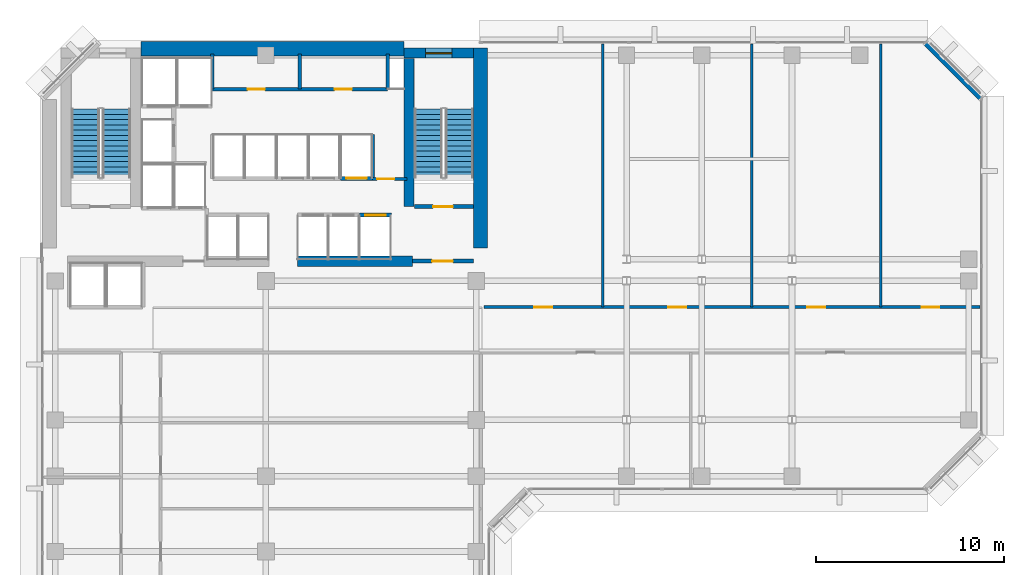
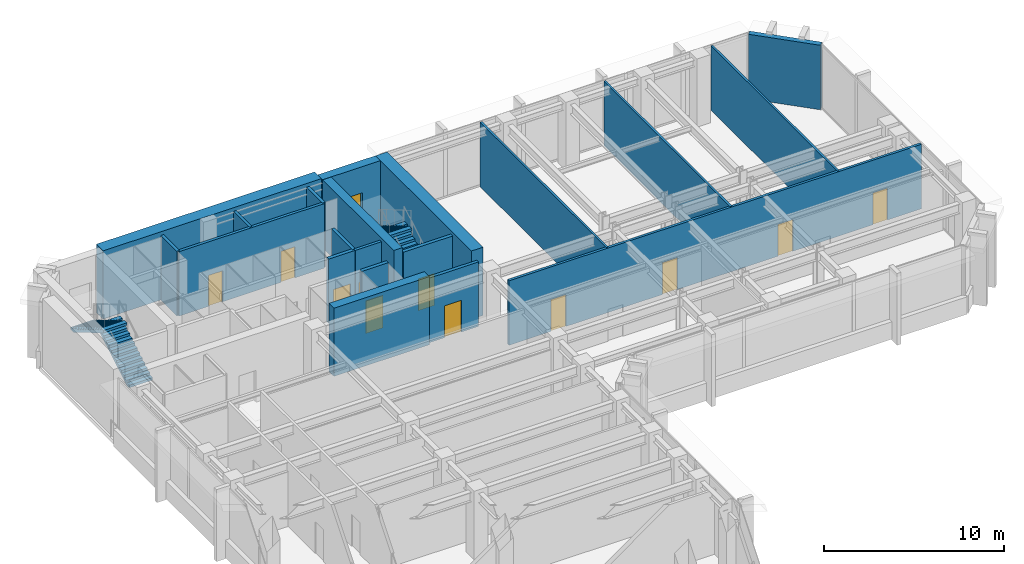
# One storey, part 8 of 13: 20 walls, 11 doors, 4 stair flights, 1 window, 12 openings, 2 elements without a shape of their own.
"""IFC4 building model written with IfcOpenShell, lengths in metres."""

from ifc_helpers import new_model, si_unit, direction, frame, frame_2d, origin, place, context, subcontext, project, spatial, polyline, rectangle, outline, extrude, material, layer, layer_set, type_object, element, fill, aggregate, save


model = new_model("IFC4")

# Units and contexts
model_context = context("Model", 3, precision=1e-05, world=origin(), true_north=direction((0.0, 1.0)))
body_context = subcontext(model_context, "Body", "Model", "MODEL_VIEW")
ifc_project = project(units=[si_unit("LENGTHUNIT", "METRE"), si_unit("AREAUNIT", "SQUARE_METRE"), si_unit("VOLUMEUNIT", "CUBIC_METRE"), si_unit("PLANEANGLEUNIT", "RADIAN"), si_unit("MASSUNIT", "GRAM", prefix="KILO")], contexts=[model_context])

# Site, building, storey
site_placement = place(None, origin())
site = spatial("IfcSite", under=ifc_project, at=site_placement, CompositionType="ELEMENT")
building_placement = place(site_placement, origin())
building = spatial("IfcBuilding", under=site, at=building_placement, Name="Kefirva Bronze Tower", CompositionType="ELEMENT")
storey_placement = place(building_placement, frame((0.0, 0.0, 130.35009765625)))
storey = spatial("IfcBuildingStorey", under=building, at=storey_placement, Name="L31", CompositionType="ELEMENT", Elevation=130.35009765625)

# Walls
ifc_material_1 = material(Name="Gypsum acoustic partition")
ifc_layer_1 = layer(ifc_material_1, 0.1298828125, Name="Gypsum acoustic partition")
ifc_layer_set_1 = layer_set([ifc_layer_1], Name="Gypsum acoustic partition")
wall_type_1 = type_object("IfcWallType", Name="Acoustic Office Partition 130mm", PredefinedType="PARTITIONING", material=ifc_layer_set_1)
for number, where, z_axis, x_axis, name in (
    (1, (29.9384765625, 31.800048828125, 0.0), (0.0, 0.0, 1.0), (0.0, 1.0, 0.0), "L31 Partition W-L31-END1"),
    (2, (37.861328125, 31.800048828125, 0.0), (0.0, 0.0, 1.0), (0.0, 1.0, 0.0), "L31 Partition W-L31-END2"),
    (3, (44.72802734375, 31.800048828125, 0.0), (0.0, 0.0, 1.0), (0.0, 1.0, 0.0), "L31 Partition W-L31-END3"),
):
    element("IfcWall", number, at=place(storey_placement, frame(where, z_axis=z_axis, x_axis=x_axis)), inside=storey, type_object=wall_type_1, Name=name, PredefinedType="PARTITIONING", context=body_context, shape_type="SweptSolid", body=[
        extrude(rectangle(XDim=14.010009765625, YDim=0.1298828125, at=frame_2d((7.0048828125, 0.0))), origin(), (0.0, 0.0, 1.0), 4.369873046875),
    ])

# Wall, opening, door
ifc_material_2 = material(Name="Gypsum fireboard shaftwall")
ifc_layer_2 = layer(ifc_material_2, 0.219970703125, Name="Gypsum fireboard shaftwall")
ifc_layer_set_2 = layer_set([ifc_layer_2], Name="Gypsum fireboard shaftwall")
wall_type_2 = type_object("IfcWallType", Name="Fire-Rated Shaft Enclosure Wall 220mm", PredefinedType="PARTITIONING", material=ifc_layer_set_2)
wall_1_placement = place(storey_placement, frame((19.89990234375, 37.14990234375, 0.0), z_axis=(0.0, 0.0, 1.0), x_axis=(1.0, 0.0, 0.0)))
wall_1 = element("IfcWall", 4, at=wall_1_placement, inside=storey, type_object=wall_type_2, Name="L31 Partition W-L31-ST2S", PredefinedType="PARTITIONING", context=body_context, shape_type="SweptSolid", body=[
    extrude(rectangle(XDim=3.150146484375, YDim=0.219970703125, at=frame_2d((1.5751953125, 0.0))), origin(), (0.0, 0.0, 1.0), 4.369873046875),
])
opening_1_placement = place(wall_1_placement, frame((2.050048828125, 0.0, 0.0), z_axis=(0.0, 0.0, 1.0), x_axis=(-1.0, 0.0, 0.0)))
opening_1 = element("IfcOpeningElement", 5, at=opening_1_placement, cuts=wall_1, Name="Opening L31-D003", PredefinedType="OPENING", context=body_context, shape_type="SweptSolid", body=[
    extrude(rectangle(XDim=1.050048828125, YDim=2.14990234375, at=frame_2d((0.52490234375, 1.074951171875))), frame((0.0, 0.1201171875, 0.0), z_axis=(0.0, -1.0, 0.0), x_axis=(1.0, 0.0, 0.0)), (0.0, 0.0, 1.0), 0.239990234375),
])
ifc_material_3 = material(Name="Painted galvanized steel", Category="steel")
door_type_1 = type_object("IfcDoorType", Name="Fire Stair Enclosure Door 1050x2150 FD90S", OperationType="NOTDEFINED", PredefinedType="DOOR", material=ifc_material_3)
door_1_placement = place(opening_1_placement, origin())
door_1 = element("IfcDoor", 6, at=door_1_placement, inside=storey, type_object=door_type_1, Name="Door L31-D003", OperationType="SINGLE_SWING_LEFT", OverallHeight=2.14990234375, OverallWidth=1.050048828125, PredefinedType="DOOR", context=body_context, shape_type="SweptSolid", body=[
    extrude(rectangle(XDim=1.050048828125, YDim=2.14990234375, at=frame_2d((0.52490234375, 1.074951171875))), frame((0.0, 0.02490234375, 0.0), z_axis=(0.0, -1.0, 0.0), x_axis=(1.0, 0.0, 0.0)), (0.0, 0.0, 1.0), 0.050048828125),
])
fill(opening_1, door_1)

# Wall
wall_2_placement = place(storey_placement, frame((17.679931640625, 38.64990234375, 0.0), z_axis=(0.0, 0.0, 1.0), x_axis=(0.0, 1.0, 0.0)))
element("IfcWall", 7, at=wall_2_placement, inside=storey, type_object=wall_type_2, Name="L31 Partition W-L31-HP2E", PredefinedType="PARTITIONING", context=body_context, shape_type="SweptSolid", body=[
    extrude(rectangle(XDim=2.35009765625, YDim=0.199951171875, at=frame_2d((1.175048828125, 0.0))), origin(), (0.0, 0.0, 1.0), 4.369873046875),
])

# Wall, opening, door
wall_3_placement = place(storey_placement, frame((16.97998046875, 36.699951171875, 0.0), z_axis=(0.0, 0.0, 1.0), x_axis=(1.0, 0.0, 0.0)))
wall_3 = element("IfcWall", 8, at=wall_3_placement, inside=storey, type_object=wall_type_2, Name="L31 Partition W-L31-HPS", PredefinedType="PARTITIONING", context=body_context, shape_type="SweptSolid", body=[
    extrude(rectangle(XDim=1.699951171875, YDim=0.219970703125, at=frame_2d((0.85009765625, 0.0))), origin(), (0.0, 0.0, 1.0), 4.369873046875),
])
opening_2_placement = place(wall_3_placement, frame((0.300048828125, 0.0, 0.0)))
opening_2 = element("IfcOpeningElement", 9, at=opening_2_placement, cuts=wall_3, Name="Opening L31-LD-HP1", PredefinedType="OPENING", context=body_context, shape_type="SweptSolid", body=[
    extrude(rectangle(XDim=1.10009765625, YDim=2.199951171875, at=frame_2d((0.550048828125, 1.10009765625))), frame((0.0, 0.1201171875, 0.0), z_axis=(0.0, -1.0, 0.0), x_axis=(1.0, 0.0, 0.0)), (0.0, 0.0, 1.0), 0.239990234375),
])
ifc_material_4 = material(Name="Stainless steel 316", Category="steel")
door_type_2 = type_object("IfcDoorType", Name="Passenger Lift Sliding Landing Door 1100x2200", OperationType="SLIDING_TO_LEFT", PredefinedType="DOOR", material=ifc_material_4)
door_2_placement = place(opening_2_placement, origin())
door_2 = element("IfcDoor", 10, at=door_2_placement, inside=storey, type_object=door_type_2, Name="Door L31-LD-HP1", OperationType="SLIDING_TO_LEFT", OverallHeight=2.199951171875, OverallWidth=1.10009765625, PredefinedType="DOOR", context=body_context, shape_type="SweptSolid", body=[
    extrude(rectangle(XDim=1.10009765625, YDim=2.199951171875, at=frame_2d((0.550048828125, 1.10009765625))), frame((0.0, 0.02490234375, 0.0), z_axis=(0.0, -1.0, 0.0), x_axis=(1.0, 0.0, 0.0)), (0.0, 0.0, 1.0), 0.050048828125),
])
fill(opening_2, door_2)

wall_4_placement = place(storey_placement, frame((15.97998046875, 38.64990234375, 0.0), z_axis=(0.0, 0.0, 1.0), x_axis=(1.0, 0.0, 0.0)))
wall_4 = element("IfcWall", 11, at=wall_4_placement, inside=storey, type_object=wall_type_2, Name="L31 Partition W-L31-HPN", PredefinedType="PARTITIONING", context=body_context, shape_type="SweptSolid", body=[
    extrude(rectangle(XDim=1.719970703125, YDim=0.219970703125, at=frame_2d((0.85986328125, 0.0))), origin(), (0.0, 0.0, 1.0), 4.369873046875),
])
opening_3_placement = place(wall_4_placement, frame((0.300048828125, 0.0, 0.0)))
opening_3 = element("IfcOpeningElement", 12, at=opening_3_placement, cuts=wall_4, Name="Opening L31-LD-HP2", PredefinedType="OPENING", context=body_context, shape_type="SweptSolid", body=[
    extrude(rectangle(XDim=1.10009765625, YDim=2.199951171875, at=frame_2d((0.550048828125, 1.10009765625))), frame((0.0, 0.1201171875, 0.0), z_axis=(0.0, -1.0, 0.0), x_axis=(1.0, 0.0, 0.0)), (0.0, 0.0, 1.0), 0.239990234375),
])
door_3_placement = place(opening_3_placement, origin())
door_3 = element("IfcDoor", 13, at=door_3_placement, inside=storey, type_object=door_type_2, Name="Door L31-LD-HP2", OperationType="SLIDING_TO_LEFT", OverallHeight=2.199951171875, OverallWidth=1.10009765625, PredefinedType="DOOR", context=body_context, shape_type="SweptSolid", body=[
    extrude(rectangle(XDim=1.10009765625, YDim=2.199951171875, at=frame_2d((0.550048828125, 1.10009765625))), frame((0.0, 0.02490234375, 0.0), z_axis=(0.0, -1.0, 0.0), x_axis=(1.0, 0.0, 0.0)), (0.0, 0.0, 1.0), 0.050048828125),
])
fill(opening_3, door_3)

ifc_material_5 = material(Name="Gypsum fireboard barrier")
ifc_layer_3 = layer(ifc_material_5, 0.199951171875, Name="Gypsum fireboard barrier")
ifc_layer_set_3 = layer_set([ifc_layer_3], Name="Gypsum fireboard barrier")
wall_type_3 = type_object("IfcWallType", Name="Firefighting Lobby Barrier Wall 200mm", PredefinedType="PARTITIONING", material=ifc_layer_set_3)
wall_5_placement = place(storey_placement, frame((19.800048828125, 34.25, 0.0), z_axis=(0.0, 0.0, 1.0), x_axis=(1.0, 0.0, 0.0)))
wall_5 = element("IfcWall", 14, at=wall_5_placement, inside=storey, type_object=wall_type_3, Name="L31 Partition W-L31-ST2F", PredefinedType="PARTITIONING", context=body_context, shape_type="SweptSolid", body=[
    extrude(rectangle(XDim=3.25, YDim=0.199951171875, at=frame_2d((1.625, 0.0))), origin(), (0.0, 0.0, 1.0), 4.369873046875),
])
opening_4_placement = place(wall_5_placement, frame((2.150146484375, 0.0, 0.0), z_axis=(0.0, 0.0, 1.0), x_axis=(-1.0, 0.0, 0.0)))
opening_4 = element("IfcOpeningElement", 15, at=opening_4_placement, cuts=wall_5, Name="Opening L31-D004", PredefinedType="OPENING", context=body_context, shape_type="SweptSolid", body=[
    extrude(rectangle(XDim=1.10009765625, YDim=2.14990234375, at=frame_2d((0.550048828125, 1.074951171875))), frame((0.0, 0.10986328125, 0.0), z_axis=(0.0, -1.0, 0.0), x_axis=(1.0, 0.0, 0.0)), (0.0, 0.0, 1.0), 0.219970703125),
])
door_type_3 = type_object("IfcDoorType", Name="Firefighting Lobby Smoke Door 1100x2150 FD60S", OperationType="NOTDEFINED", PredefinedType="DOOR", material=ifc_material_3)
door_4_placement = place(opening_4_placement, origin())
door_4 = element("IfcDoor", 16, at=door_4_placement, inside=storey, type_object=door_type_3, Name="Door L31-D004", OperationType="SINGLE_SWING_RIGHT", OverallHeight=2.14990234375, OverallWidth=1.10009765625, PredefinedType="DOOR", context=body_context, shape_type="SweptSolid", body=[
    extrude(rectangle(XDim=1.10009765625, YDim=2.14990234375, at=frame_2d((0.550048828125, 1.074951171875))), frame((0.0, 0.02490234375, 0.0), z_axis=(0.0, -1.0, 0.0), x_axis=(1.0, 0.0, 0.0)), (0.0, 0.0, 1.0), 0.050048828125),
])
fill(opening_4, door_4)

wall_6_placement = place(storey_placement, frame((17.679931640625, 38.6201171875, 0.0), z_axis=(0.0, 0.0, 1.0), x_axis=(1.0, 0.0, 0.0)))
wall_6 = element("IfcWall", 17, at=wall_6_placement, inside=storey, type_object=wall_type_3, Name="L31 Partition W-L31-CPASS", PredefinedType="PARTITIONING", context=body_context, shape_type="SweptSolid", body=[
    extrude(rectangle(XDim=1.840087890625, YDim=0.179931640625, at=frame_2d((0.919921875, 0.0))), origin(), (0.0, 0.0, 1.0), 4.369873046875),
])
opening_5_placement = place(wall_6_placement, frame((0.239990234375, 0.0, 0.0)))
opening_5 = element("IfcOpeningElement", 18, at=opening_5_placement, cuts=wall_6, Name="Opening L31-D-CPAS", PredefinedType="OPENING", context=body_context, shape_type="SweptSolid", body=[
    extrude(rectangle(XDim=0.919921875, YDim=2.10009765625, at=frame_2d((0.4599609375, 1.050048828125))), frame((0.0, 0.10009765625, 0.0), z_axis=(0.0, -1.0, 0.0), x_axis=(1.0, 0.0, 0.0)), (0.0, 0.0, 1.0), 0.199951171875),
])
ifc_material_6 = material(Name="Moisture-resistant timber", Category="wood")
door_type_4 = type_object("IfcDoorType", Name="Accessible Sanitary & WC Door 920x2100", OperationType="NOTDEFINED", PredefinedType="DOOR", material=ifc_material_6)
door_5_placement = place(opening_5_placement, origin())
door_5 = element("IfcDoor", 19, at=door_5_placement, inside=storey, type_object=door_type_4, Name="Door L31-D-CPAS", OperationType="SINGLE_SWING_LEFT", OverallHeight=2.10009765625, OverallWidth=0.919921875, PredefinedType="DOOR", context=body_context, shape_type="SweptSolid", body=[
    extrude(rectangle(XDim=0.919921875, YDim=2.10009765625, at=frame_2d((0.4599609375, 1.050048828125))), frame((0.0, 0.02490234375, 0.0), z_axis=(0.0, -1.0, 0.0), x_axis=(1.0, 0.0, 0.0)), (0.0, 0.0, 1.0), 0.050048828125),
])
fill(opening_5, door_5)

# Wall
ifc_material_7 = material(Name="Precast concrete C40/50", Category="concrete")
ifc_layer_4 = layer(ifc_material_7, 0.320068359375, Name="Precast concrete C40/50")
ifc_layer_set_4 = layer_set([ifc_layer_4], Name="Precast concrete C40/50")
wall_type_4 = type_object("IfcWallType", Name="Precast Insulated Exterior Wall 320mm", PredefinedType="SOLIDWALL", material=ifc_layer_set_4)
wall_7_placement = place(storey_placement, frame((50.048095703125, 42.92578125, 0.0), z_axis=(0.0, 0.0, 1.0), x_axis=(-0.707136318428, 0.707077242712, 0.0)))
element("IfcWall", 20, at=wall_7_placement, inside=storey, type_object=wall_type_4, Name="L31 Exterior Facade Wall 7", PredefinedType="SOLIDWALL", context=body_context, shape_type="SweptSolid", body=[
    extrude(rectangle(XDim=4.132568359375, YDim=0.320068359375, at=frame_2d((2.06640625, 0.0))), origin(), (0.0, 0.0, 1.0), 4.369873046875),
])

# Wall, openings, doors
ifc_layer_5 = layer(ifc_material_1, 0.159912109375, Name="Gypsum acoustic partition")
ifc_layer_set_5 = layer_set([ifc_layer_5], Name="Gypsum acoustic partition")
wall_type_5 = type_object("IfcWallType", Name="Protected Corridor Partition 160mm", PredefinedType="PARTITIONING", material=ifc_layer_set_5)
wall_8_placement = place(storey_placement, frame((23.60009765625, 31.800048828125, 0.0), z_axis=(0.0, 0.0, 1.0), x_axis=(1.0, 0.0, 0.0)))
wall_8 = element("IfcWall", 21, at=wall_8_placement, inside=storey, type_object=wall_type_5, Name="L31 Partition W-L31-EWN", PredefinedType="PARTITIONING", context=body_context, shape_type="SweptSolid", body=[
    extrude(rectangle(XDim=26.409912109375, YDim=0.159912109375, at=frame_2d((13.205078125, 0.0))), origin(), (0.0, 0.0, 1.0), 4.369873046875),
])
opening_6_placement = place(wall_8_placement, frame((2.694091796875, 0.0, 0.0)))
opening_6 = element("IfcOpeningElement", 22, at=opening_6_placement, cuts=wall_8, Name="Opening L31-D-EN1", PredefinedType="OPENING", context=body_context, shape_type="SweptSolid", body=[
    extrude(rectangle(XDim=0.949951171875, YDim=2.14990234375, at=frame_2d((0.47509765625, 1.074951171875))), frame((0.0, 0.08984375, 0.0), z_axis=(0.0, -1.0, 0.0), x_axis=(1.0, 0.0, 0.0)), (0.0, 0.0, 1.0), 0.179931640625),
])
opening_7_placement = place(wall_8_placement, frame((9.824951171875, 0.0, 0.0)))
opening_7 = element("IfcOpeningElement", 23, at=opening_7_placement, cuts=wall_8, Name="Opening L31-D-EN2", PredefinedType="OPENING", context=body_context, shape_type="SweptSolid", body=[
    extrude(rectangle(XDim=0.949951171875, YDim=2.14990234375, at=frame_2d((0.47509765625, 1.074951171875))), frame((0.0, 0.08984375, 0.0), z_axis=(0.0, -1.0, 0.0), x_axis=(1.0, 0.0, 0.0)), (0.0, 0.0, 1.0), 0.179931640625),
])
opening_8_placement = place(wall_8_placement, frame((17.2197265625, 0.0, 0.0)))
opening_8 = element("IfcOpeningElement", 24, at=opening_8_placement, cuts=wall_8, Name="Opening L31-D-EN3", PredefinedType="OPENING", context=body_context, shape_type="SweptSolid", body=[
    extrude(rectangle(XDim=0.949951171875, YDim=2.14990234375, at=frame_2d((0.47509765625, 1.074951171875))), frame((0.0, 0.08984375, 0.0), z_axis=(0.0, -1.0, 0.0), x_axis=(1.0, 0.0, 0.0)), (0.0, 0.0, 1.0), 0.179931640625),
])
opening_9_placement = place(wall_8_placement, frame((23.2939453125, 0.0, 0.0)))
opening_9 = element("IfcOpeningElement", 25, at=opening_9_placement, cuts=wall_8, Name="Opening L31-D-EN4", PredefinedType="OPENING", context=body_context, shape_type="SweptSolid", body=[
    extrude(rectangle(XDim=0.949951171875, YDim=2.14990234375, at=frame_2d((0.47509765625, 1.074951171875))), frame((0.0, 0.08984375, 0.0), z_axis=(0.0, -1.0, 0.0), x_axis=(1.0, 0.0, 0.0)), (0.0, 0.0, 1.0), 0.179931640625),
])
ifc_material_8 = material(Name="Acoustic hardwood oak", Category="wood")
door_type_5 = type_object("IfcDoorType", Name="Office & Meeting Room Door 950x2150", OperationType="NOTDEFINED", PredefinedType="DOOR", material=ifc_material_8)
door_6_placement = place(opening_6_placement, origin())
door_6 = element("IfcDoor", 26, at=door_6_placement, inside=storey, type_object=door_type_5, Name="Door L31-D-EN1", OperationType="SINGLE_SWING_LEFT", OverallHeight=2.14990234375, OverallWidth=0.949951171875, PredefinedType="DOOR", context=body_context, shape_type="SweptSolid", body=[
    extrude(rectangle(XDim=0.949951171875, YDim=2.14990234375, at=frame_2d((0.47509765625, 1.074951171875))), frame((0.0, 0.02490234375, 0.0), z_axis=(0.0, -1.0, 0.0), x_axis=(1.0, 0.0, 0.0)), (0.0, 0.0, 1.0), 0.050048828125),
])
fill(opening_6, door_6)
door_7_placement = place(opening_7_placement, origin())
door_7 = element("IfcDoor", 27, at=door_7_placement, inside=storey, type_object=door_type_5, Name="Door L31-D-EN2", OperationType="SINGLE_SWING_RIGHT", OverallHeight=2.14990234375, OverallWidth=0.949951171875, PredefinedType="DOOR", context=body_context, shape_type="SweptSolid", body=[
    extrude(rectangle(XDim=0.949951171875, YDim=2.14990234375, at=frame_2d((0.47509765625, 1.074951171875))), frame((0.0, 0.02490234375, 0.0), z_axis=(0.0, -1.0, 0.0), x_axis=(1.0, 0.0, 0.0)), (0.0, 0.0, 1.0), 0.050048828125),
])
fill(opening_7, door_7)
door_8_placement = place(opening_8_placement, origin())
door_8 = element("IfcDoor", 28, at=door_8_placement, inside=storey, type_object=door_type_5, Name="Door L31-D-EN3", OperationType="SINGLE_SWING_LEFT", OverallHeight=2.14990234375, OverallWidth=0.949951171875, PredefinedType="DOOR", context=body_context, shape_type="SweptSolid", body=[
    extrude(rectangle(XDim=0.949951171875, YDim=2.14990234375, at=frame_2d((0.47509765625, 1.074951171875))), frame((0.0, 0.02490234375, 0.0), z_axis=(0.0, -1.0, 0.0), x_axis=(1.0, 0.0, 0.0)), (0.0, 0.0, 1.0), 0.050048828125),
])
fill(opening_8, door_8)
door_9_placement = place(opening_9_placement, origin())
door_9 = element("IfcDoor", 29, at=door_9_placement, inside=storey, type_object=door_type_5, Name="Door L31-D-EN4", OperationType="SINGLE_SWING_RIGHT", OverallHeight=2.14990234375, OverallWidth=0.949951171875, PredefinedType="DOOR", context=body_context, shape_type="SweptSolid", body=[
    extrude(rectangle(XDim=0.949951171875, YDim=2.14990234375, at=frame_2d((0.47509765625, 1.074951171875))), frame((0.0, 0.02490234375, 0.0), z_axis=(0.0, -1.0, 0.0), x_axis=(1.0, 0.0, 0.0)), (0.0, 0.0, 1.0), 0.050048828125),
])
fill(opening_9, door_9)

# Wall, opening, window
ifc_material_9 = material(Name="Concrete C50/60", Category="concrete")
ifc_layer_6 = layer(ifc_material_9, 0.550048828125, Name="Concrete C50/60")
ifc_layer_set_6 = layer_set([ifc_layer_6], Name="Concrete C50/60")
wall_type_6 = type_object("IfcWallType", Name="RC Rear Core Exterior Wall 550mm", PredefinedType="SHEAR", material=ifc_layer_set_6)
wall_9_placement = place(storey_placement, frame((19.35009765625, 45.320068359375, 0.0), z_axis=(0.0, 0.0, 1.0), x_axis=(1.0, 0.0, 0.0)))
wall_9 = element("IfcWall", 30, at=wall_9_placement, inside=storey, type_object=wall_type_6, Name="L31 Stair 2 North Shear Wall", PredefinedType="SHEAR", context=body_context, shape_type="SweptSolid", body=[
    extrude(rectangle(XDim=3.68994140625, YDim=0.550048828125, at=frame_2d((1.844970703125, 0.0))), origin(), (0.0, 0.0, 1.0), 4.619873046875),
])
opening_10_placement = place(wall_9_placement, frame((1.14990234375, 0.0, 1.050048828125)))
opening_10 = element("IfcOpeningElement", 31, at=opening_10_placement, cuts=wall_9, Name="Opening WN-03", PredefinedType="OPENING", context=body_context, shape_type="SweptSolid", body=[
    extrude(rectangle(XDim=1.39990234375, YDim=1.800048828125, at=frame_2d((0.699951171875, 0.89990234375))), frame((0.0, 0.28515625, 0.0), z_axis=(0.0, -1.0, 0.0), x_axis=(1.0, 0.0, 0.0)), (0.0, 0.0, 1.0), 0.570068359375),
])
ifc_material_10 = material(Name="Laminated low-E double glazing", Category="glass")
window_type = type_object("IfcWindowType", Name="Rear-Core Stair Daylight Window 1400x1800", PartitioningType="SINGLE_PANEL", PredefinedType="WINDOW", material=ifc_material_10)
window_placement = place(opening_10_placement, origin())
window = element("IfcWindow", 32, at=window_placement, inside=storey, type_object=window_type, Name="L31 Stair 2 Daylight Window", OverallHeight=1.800048828125, OverallWidth=1.39990234375, PartitioningType="SINGLE_PANEL", PredefinedType="WINDOW", context=body_context, shape_type="SweptSolid", body=[
    extrude(rectangle(XDim=1.39990234375, YDim=1.800048828125, at=frame_2d((0.699951171875, 0.89990234375))), frame((0.0, 0.030029296875, 0.0), z_axis=(0.0, -1.0, 0.0), x_axis=(1.0, 0.0, 0.0)), (0.0, 0.0, 1.0), 0.06005859375),
])
fill(opening_10, window)

# Walls
ifc_material_11 = material(Name="Concrete C60/75", Category="concrete")
ifc_layer_7 = layer(ifc_material_11, 0.75, Name="Concrete C60/75")
ifc_layer_set_7 = layer_set([ifc_layer_7], Name="Concrete C60/75")
wall_type_7 = type_object("IfcWallType", Name="RC Rear Core Exterior Wall 750mm", PredefinedType="SHEAR", material=ifc_layer_set_7)
wall_10_placement = place(storey_placement, frame((5.360107421875, 45.550048828125, 0.0), z_axis=(0.0, 0.0, 1.0), x_axis=(1.0, 0.0, 0.0)))
element("IfcWall", 33, at=wall_10_placement, inside=storey, type_object=wall_type_7, Name="L31 Rear Core North Shear Wall", PredefinedType="SHEAR", context=body_context, shape_type="SweptSolid", body=[
    extrude(rectangle(XDim=13.97998046875, YDim=0.75, at=frame_2d((6.989990234375, 0.0))), origin(), (0.0, 0.0, 1.0), 4.619873046875),
])
ifc_layer_8 = layer(ifc_material_9, 0.550048828125, Name="Concrete C50/60")
ifc_layer_set_8 = layer_set([ifc_layer_8], Name="Concrete C50/60")
wall_type_8 = type_object("IfcWallType", Name="RC Rear Core Interior Wall 550mm", PredefinedType="SHEAR", material=ifc_layer_set_8)
wall_11_placement = place(storey_placement, frame((19.6201171875, 37.14990234375, 0.0), z_axis=(0.0, 0.0, 1.0), x_axis=(0.0, 1.0, 0.0)))
element("IfcWall", 34, at=wall_11_placement, inside=storey, type_object=wall_type_8, Name="L31 Stair 2 West Shear Wall", PredefinedType="SHEAR", context=body_context, shape_type="SweptSolid", body=[
    extrude(rectangle(XDim=7.89013671875, YDim=0.550048828125, at=frame_2d((3.945068359375, 0.0))), origin(), (0.0, 0.0, 1.0), 4.619873046875),
])
ifc_layer_9 = layer(ifc_material_11, 0.75, Name="Concrete C60/75")
ifc_layer_set_9 = layer_set([ifc_layer_9], Name="Concrete C60/75")
wall_type_9 = type_object("IfcWallType", Name="RC Rear Core Interior Wall 750mm", PredefinedType="SHEAR", material=ifc_layer_set_9)
wall_12_placement = place(storey_placement, frame((23.425048828125, 34.949951171875, 0.0), z_axis=(0.0, 0.0, 1.0), x_axis=(0.0, 1.0, 0.0)))
element("IfcWall", 35, at=wall_12_placement, inside=storey, type_object=wall_type_9, Name="L31 Rear Core East Shear Wall", PredefinedType="SHEAR", context=body_context, shape_type="SweptSolid", body=[
    extrude(rectangle(XDim=10.64013671875, YDim=0.75, at=frame_2d((5.320068359375, 0.0))), origin(), (0.0, 0.0, 1.0), 4.619873046875),
])
wall_13_placement = place(storey_placement, frame((13.679931640625, 34.25, 0.0), z_axis=(0.0, 0.0, 1.0), x_axis=(1.0, 0.0, 0.0)))
element("IfcWall", 36, at=wall_13_placement, inside=storey, type_object=wall_type_9, Name="L31 Rear Core South-East Shear Wall", PredefinedType="SHEAR", context=body_context, shape_type="SweptSolid", body=[
    extrude(rectangle(XDim=6.1201171875, YDim=0.550048828125, at=frame_2d((3.06005859375, 0.0))), origin(), (0.0, 0.0, 1.0), 4.619873046875),
])

# Wall, openings, doors
ifc_material_12 = material(Name="Moisture-resistant partition")
ifc_layer_10 = layer(ifc_material_12, 0.179931640625, Name="Moisture-resistant partition")
ifc_layer_set_10 = layer_set([ifc_layer_10], Name="Moisture-resistant partition")
wall_type_10 = type_object("IfcWallType", Name="Sanitary Plumbing Chase Wall 180mm", PredefinedType="PLUMBINGWALL", material=ifc_layer_set_10)
wall_14_placement = place(storey_placement, frame((9.14990234375, 43.39990234375, 0.0), z_axis=(0.0, 0.0, 1.0), x_axis=(1.0, 0.0, 0.0)))
wall_14 = element("IfcWall", 37, at=wall_14_placement, inside=storey, type_object=wall_type_10, Name="L31 Partition W-L31-SVCS", PredefinedType="PLUMBINGWALL", context=body_context, shape_type="SweptSolid", body=[
    extrude(rectangle(XDim=9.330078125, YDim=0.179931640625, at=frame_2d((4.6650390625, 0.0))), origin(), (0.0, 0.0, 1.0), 4.369873046875),
])
opening_11_placement = place(wall_14_placement, frame((1.8798828125, 0.0, 0.0)))
opening_11 = element("IfcOpeningElement", 38, at=opening_11_placement, cuts=wall_14, Name="Opening L31-D-CSVC1", PredefinedType="OPENING", context=body_context, shape_type="SweptSolid", body=[
    extrude(rectangle(XDim=0.919921875, YDim=2.10009765625, at=frame_2d((0.4599609375, 1.050048828125))), frame((0.0, 0.10009765625, 0.0), z_axis=(0.0, -1.0, 0.0), x_axis=(1.0, 0.0, 0.0)), (0.0, 0.0, 1.0), 0.199951171875),
])
opening_12_placement = place(wall_14_placement, frame((6.514892578125, 0.0, 0.0)))
opening_12 = element("IfcOpeningElement", 39, at=opening_12_placement, cuts=wall_14, Name="Opening L31-D-CSVC2", PredefinedType="OPENING", context=body_context, shape_type="SweptSolid", body=[
    extrude(rectangle(XDim=0.919921875, YDim=2.10009765625, at=frame_2d((0.4599609375, 1.050048828125))), frame((0.0, 0.10009765625, 0.0), z_axis=(0.0, -1.0, 0.0), x_axis=(1.0, 0.0, 0.0)), (0.0, 0.0, 1.0), 0.199951171875),
])
door_10_placement = place(opening_11_placement, origin())
door_10 = element("IfcDoor", 40, at=door_10_placement, inside=storey, type_object=door_type_4, Name="Door L31-D-CSVC1", OperationType="SINGLE_SWING_RIGHT", OverallHeight=2.10009765625, OverallWidth=0.919921875, PredefinedType="DOOR", context=body_context, shape_type="SweptSolid", body=[
    extrude(rectangle(XDim=0.919921875, YDim=2.10009765625, at=frame_2d((0.4599609375, 1.050048828125))), frame((0.0, 0.02490234375, 0.0), z_axis=(0.0, -1.0, 0.0), x_axis=(1.0, 0.0, 0.0)), (0.0, 0.0, 1.0), 0.050048828125),
])
fill(opening_11, door_10)
door_11_placement = place(opening_12_placement, origin())
door_11 = element("IfcDoor", 41, at=door_11_placement, inside=storey, type_object=door_type_4, Name="Door L31-D-CSVC2", OperationType="SINGLE_SWING_LEFT", OverallHeight=2.10009765625, OverallWidth=0.919921875, PredefinedType="DOOR", context=body_context, shape_type="SweptSolid", body=[
    extrude(rectangle(XDim=0.919921875, YDim=2.10009765625, at=frame_2d((0.4599609375, 1.050048828125))), frame((0.0, 0.02490234375, 0.0), z_axis=(0.0, -1.0, 0.0), x_axis=(1.0, 0.0, 0.0)), (0.0, 0.0, 1.0), 0.050048828125),
])
fill(opening_12, door_11)

# Walls
for number, where, z_axis, x_axis, name in (
    (42, (9.14990234375, 43.39990234375, 0.0), (0.0, 0.0, 1.0), (0.0, 1.0, 0.0), "L31 Partition W-L31-SVCW"),
    (43, (18.47998046875, 43.39990234375, 0.0), (0.0, 0.0, 1.0), (0.0, 1.0, 0.0), "L31 Partition W-L31-SVCE"),
    (44, (13.800048828125, 43.39990234375, 0.0), (0.0, 0.0, 1.0), (0.0, 1.0, 0.0), "L31 Partition W-L31-CSVD-1"),
):
    element("IfcWall", number, at=place(storey_placement, frame(where, z_axis=z_axis, x_axis=x_axis)), inside=storey, type_object=wall_type_10, Name=name, PredefinedType="PLUMBINGWALL", context=body_context, shape_type="SweptSolid", body=[
        extrude(rectangle(XDim=1.880126953125, YDim=0.179931640625, at=frame_2d((0.93994140625, 0.0))), origin(), (0.0, 0.0, 1.0), 4.369873046875),
    ])

# Stair, stair flights
ifc_material_13 = material(Name="Concrete C40/50", Category="concrete")
stair_type = type_object("IfcStairType", Name="RC Dogleg Protected Stair 28R", PredefinedType="HALF_TURN_STAIR", material=ifc_material_13)
stair_1_placement = place(storey_placement, origin())
stair_1 = element("IfcStair", 45, at=stair_1_placement, inside=storey, type_object=stair_type, Name="L31 Protected Exit Stair 1", PredefinedType="HALF_TURN_STAIR")
stair_flight_type = type_object("IfcStairFlightType", Name="RC Straight Stair Flight 28R", PredefinedType="STRAIGHT", material=ifc_material_13)
stair_flight_1_placement = place(storey_placement, frame((4.050048828125, 38.699951171875, 0.0), z_axis=(0.0, 0.0, 1.0), x_axis=(0.0, 1.0, 0.0)))
stair_flight_1 = element("IfcStairFlight", 46, at=stair_flight_1_placement, type_object=stair_flight_type, Name="ST-1 flight 1", NumberOfRisers=14, NumberOfTreads=13, PredefinedType="STRAIGHT", RiserHeight=0.165, TreadLength=0.28, context=body_context, shape_type="SweptSolid", body=[
    extrude(outline(polyline([(0.0, 0.0), (0.0, 0.1650390625), (0.280029296875, 0.1650390625), (0.280029296875, 0.330078125), (0.56005859375, 0.330078125), (0.56005859375, 0.4951171875), (0.840087890625, 0.4951171875), (0.840087890625, 0.659912109375), (1.1201171875, 0.659912109375), (1.1201171875, 0.824951171875), (1.39990234375, 0.824951171875), (1.39990234375, 0.989990234375), (1.679931640625, 0.989990234375), (1.679931640625, 1.155029296875), (1.9599609375, 1.155029296875), (1.9599609375, 1.320068359375), (2.239990234375, 1.320068359375), (2.239990234375, 1.485107421875), (2.52001953125, 1.485107421875), (2.52001953125, 1.64990234375), (2.800048828125, 1.64990234375), (2.800048828125, 1.81494140625), (3.080078125, 1.81494140625), (3.080078125, 1.97998046875), (3.360107421875, 1.97998046875), (3.360107421875, 2.14501953125), (3.639892578125, 2.14501953125), (3.639892578125, 2.31005859375), (3.639892578125, 1.970947265625), (0.295166015625, 0.0), (0.0, 0.0)])), frame((0.0, 0.75, 0.0), z_axis=(0.0, -1.0, 0.0), x_axis=(1.0, 0.0, 0.0)), (0.0, 0.0, 1.0), 1.5),
])
stair_flight_2_placement = place(storey_placement, frame((2.39990234375, 42.340087890625, 2.309814453125), z_axis=(0.0, 0.0, 1.0), x_axis=(0.0, -1.0, 0.0)))
stair_flight_2 = element("IfcStairFlight", 47, at=stair_flight_2_placement, type_object=stair_flight_type, Name="ST-1 flight 2", NumberOfRisers=14, NumberOfTreads=13, PredefinedType="STRAIGHT", RiserHeight=0.165, TreadLength=0.28, context=body_context, shape_type="SweptSolid", body=[
    extrude(outline(polyline([(0.0, 0.0), (0.0, 0.1650390625), (0.280029296875, 0.1650390625), (0.280029296875, 0.330078125), (0.56005859375, 0.330078125), (0.56005859375, 0.4951171875), (0.840087890625, 0.4951171875), (0.840087890625, 0.659912109375), (1.1201171875, 0.659912109375), (1.1201171875, 0.824951171875), (1.39990234375, 0.824951171875), (1.39990234375, 0.989990234375), (1.679931640625, 0.989990234375), (1.679931640625, 1.155029296875), (1.9599609375, 1.155029296875), (1.9599609375, 1.320068359375), (2.239990234375, 1.320068359375), (2.239990234375, 1.485107421875), (2.52001953125, 1.485107421875), (2.52001953125, 1.64990234375), (2.800048828125, 1.64990234375), (2.800048828125, 1.81494140625), (3.080078125, 1.81494140625), (3.080078125, 1.97998046875), (3.360107421875, 1.97998046875), (3.360107421875, 2.14501953125), (3.639892578125, 2.14501953125), (3.639892578125, 2.31005859375), (3.639892578125, 1.970947265625), (0.295166015625, 0.0), (0.0, 0.0)])), frame((0.0, 0.75, 0.0), z_axis=(0.0, -1.0, 0.0), x_axis=(1.0, 0.0, 0.0)), (0.0, 0.0, 1.0), 1.5),
])
aggregate(stair_1, [stair_flight_1, stair_flight_2])

stair_2_placement = place(storey_placement, origin())
stair_2 = element("IfcStair", 48, at=stair_2_placement, inside=storey, type_object=stair_type, Name="L31 Protected Exit Stair 2", PredefinedType="HALF_TURN_STAIR")
stair_flight_3_placement = place(storey_placement, frame((22.300048828125, 38.699951171875, 0.0), z_axis=(0.0, 0.0, 1.0), x_axis=(0.0, 1.0, 0.0)))
stair_flight_3 = element("IfcStairFlight", 49, at=stair_flight_3_placement, type_object=stair_flight_type, Name="ST-2 flight 1", NumberOfRisers=14, NumberOfTreads=13, PredefinedType="STRAIGHT", RiserHeight=0.165, TreadLength=0.28, context=body_context, shape_type="SweptSolid", body=[
    extrude(outline(polyline([(0.0, 0.0), (0.0, 0.1650390625), (0.280029296875, 0.1650390625), (0.280029296875, 0.330078125), (0.56005859375, 0.330078125), (0.56005859375, 0.4951171875), (0.840087890625, 0.4951171875), (0.840087890625, 0.659912109375), (1.1201171875, 0.659912109375), (1.1201171875, 0.824951171875), (1.39990234375, 0.824951171875), (1.39990234375, 0.989990234375), (1.679931640625, 0.989990234375), (1.679931640625, 1.155029296875), (1.9599609375, 1.155029296875), (1.9599609375, 1.320068359375), (2.239990234375, 1.320068359375), (2.239990234375, 1.485107421875), (2.52001953125, 1.485107421875), (2.52001953125, 1.64990234375), (2.800048828125, 1.64990234375), (2.800048828125, 1.81494140625), (3.080078125, 1.81494140625), (3.080078125, 1.97998046875), (3.360107421875, 1.97998046875), (3.360107421875, 2.14501953125), (3.639892578125, 2.14501953125), (3.639892578125, 2.31005859375), (3.639892578125, 1.970947265625), (0.295166015625, 0.0), (0.0, 0.0)])), frame((0.0, 0.75, 0.0), z_axis=(0.0, -1.0, 0.0), x_axis=(1.0, 0.0, 0.0)), (0.0, 0.0, 1.0), 1.5),
])
stair_flight_4_placement = place(storey_placement, frame((20.64990234375, 42.340087890625, 2.309814453125), z_axis=(0.0, 0.0, 1.0), x_axis=(0.0, -1.0, 0.0)))
stair_flight_4 = element("IfcStairFlight", 50, at=stair_flight_4_placement, type_object=stair_flight_type, Name="ST-2 flight 2", NumberOfRisers=14, NumberOfTreads=13, PredefinedType="STRAIGHT", RiserHeight=0.165, TreadLength=0.28, context=body_context, shape_type="SweptSolid", body=[
    extrude(outline(polyline([(0.0, 0.0), (0.0, 0.1650390625), (0.280029296875, 0.1650390625), (0.280029296875, 0.330078125), (0.56005859375, 0.330078125), (0.56005859375, 0.4951171875), (0.840087890625, 0.4951171875), (0.840087890625, 0.659912109375), (1.1201171875, 0.659912109375), (1.1201171875, 0.824951171875), (1.39990234375, 0.824951171875), (1.39990234375, 0.989990234375), (1.679931640625, 0.989990234375), (1.679931640625, 1.155029296875), (1.9599609375, 1.155029296875), (1.9599609375, 1.320068359375), (2.239990234375, 1.320068359375), (2.239990234375, 1.485107421875), (2.52001953125, 1.485107421875), (2.52001953125, 1.64990234375), (2.800048828125, 1.64990234375), (2.800048828125, 1.81494140625), (3.080078125, 1.81494140625), (3.080078125, 1.97998046875), (3.360107421875, 1.97998046875), (3.360107421875, 2.14501953125), (3.639892578125, 2.14501953125), (3.639892578125, 2.31005859375), (3.639892578125, 1.970947265625), (0.295166015625, 0.0), (0.0, 0.0)])), frame((0.0, 0.75, 0.0), z_axis=(0.0, -1.0, 0.0), x_axis=(1.0, 0.0, 0.0)), (0.0, 0.0, 1.0), 1.5),
])
aggregate(stair_2, [stair_flight_3, stair_flight_4])

save(model, "model.ifc")
